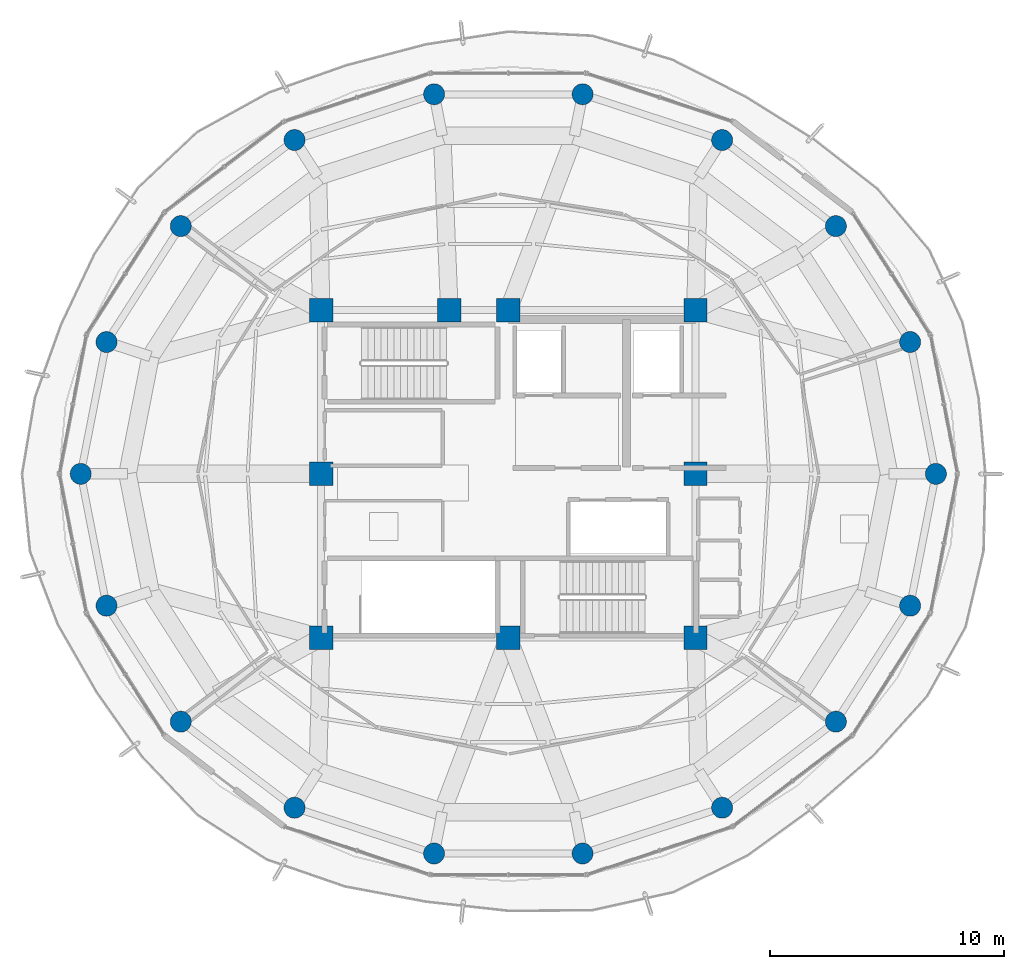
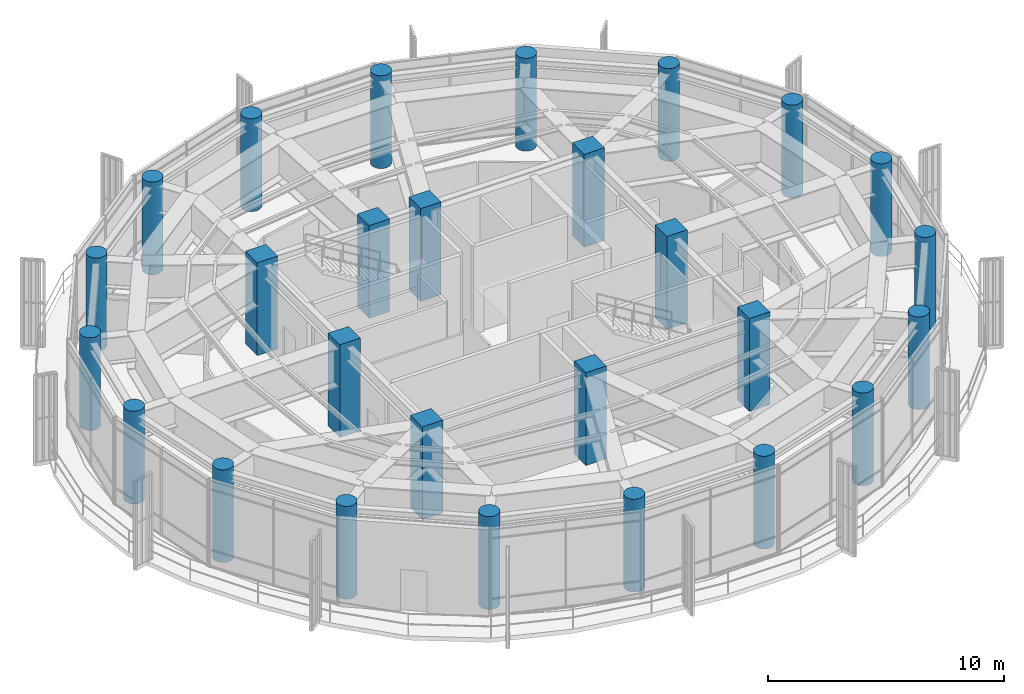
# One storey, part 1 of 23: 27 columns.
"""IFC4 building model written with IfcOpenShell, lengths in metres."""

from ifc_helpers import new_model, si_unit, direction, frame, origin, origin_2d, place, context, subcontext, project, spatial, rectangle, circle, extrude, material, material_profile, profile_set, type_object, element, save


model = new_model("IFC4")

# Units and contexts
model_context = context("Model", 3, precision=1e-05, world=origin(), true_north=direction((0.0, 1.0)))
body_context = subcontext(model_context, "Body", "Model", "MODEL_VIEW")
ifc_project = project(units=[si_unit("LENGTHUNIT", "METRE"), si_unit("AREAUNIT", "SQUARE_METRE"), si_unit("VOLUMEUNIT", "CUBIC_METRE"), si_unit("PLANEANGLEUNIT", "RADIAN"), si_unit("MASSUNIT", "GRAM", prefix="KILO")], contexts=[model_context])

# Site, building, storey
site_placement = place(None, origin())
site = spatial("IfcSite", under=ifc_project, at=site_placement, CompositionType="ELEMENT")
building_placement = place(site_placement, origin())
building = spatial("IfcBuilding", under=site, at=building_placement, Name="Kelanora Arch Commons", CompositionType="ELEMENT")
storey_placement = place(building_placement, frame((0.0, 0.0, 293.699951171875)))
storey = spatial("IfcBuildingStorey", under=building, at=storey_placement, Name="L75", CompositionType="ELEMENT", Elevation=293.699951171875)

# Columns
ifc_material = material(Name="Concrete C50/60", Category="concrete")
ifc_material_profile_1 = material_profile(ifc_material, circle(Radius=0.449951171875, at=origin_2d()), Name="RCC900")
ifc_profile_set_1 = profile_set([ifc_material_profile_1], Name="Concrete C50/60")
column_type_1 = type_object("IfcColumnType", Name="COL-PERIM-Z5", PredefinedType="COLUMN", material=ifc_profile_set_1)
for number, where, z_axis, x_axis, name in (
    (1, (92.280029296875, 58.0, 0.0), (0.0, 0.0, 1.0), (1.0, 0.0, 0.0), "Perimeter Ring Column CP-00 L75"),
    (2, (91.177490234375, 63.636474609375, 0.0), (0.0, 0.0, 1.0), (1.0, 0.0, 0.0), "Perimeter Ring Column CP-02 L75"),
    (3, (88.00341796875, 68.593017578125, 0.0), (0.0, 0.0, 1.0), (1.0, 0.0, 0.0), "Perimeter Ring Column CP-04 L75"),
    (4, (83.139892578125, 72.272216796875, 0.0), (0.0, 0.0, 1.0), (1.0, 0.0, 0.0), "Perimeter Ring Column CP-06 L75"),
    (5, (77.17431640625, 74.2294921875, 0.0), (0.0, 0.0, 1.0), (1.0, 0.0, 0.0), "Perimeter Ring Column CP-08 L75"),
    (6, (70.82568359375, 74.2294921875, 0.0), (0.0, 0.0, 1.0), (1.0, 0.0, 0.0), "Perimeter Ring Column CP-10 L75"),
    (7, (64.860107421875, 72.272216796875, 0.0), (0.0, 0.0, 1.0), (1.0, 0.0, 0.0), "Perimeter Ring Column CP-12 L75"),
    (8, (59.99658203125, 68.593017578125, 0.0), (0.0, 0.0, 1.0), (1.0, 0.0, 0.0), "Perimeter Ring Column CP-14 L75"),
    (9, (56.822509765625, 63.636474609375, 0.0), (0.0, 0.0, 1.0), (1.0, 0.0, 0.0), "Perimeter Ring Column CP-16 L75"),
    (10, (55.719970703125, 58.0, 0.0), (0.0, 0.0, 1.0), (1.0, 0.0, 0.0), "Perimeter Ring Column CP-18 L75"),
    (11, (56.822509765625, 52.363525390625, 0.0), (0.0, 0.0, 1.0), (1.0, 0.0, 0.0), "Perimeter Ring Column CP-20 L75"),
    (12, (59.99658203125, 47.406982421875, 0.0), (0.0, 0.0, 1.0), (1.0, 0.0, 0.0), "Perimeter Ring Column CP-22 L75"),
    (13, (64.860107421875, 43.727783203125, 0.0), (0.0, 0.0, 1.0), (1.0, 0.0, 0.0), "Perimeter Ring Column CP-24 L75"),
    (14, (70.82568359375, 41.7705078125, 0.0), (0.0, 0.0, 1.0), (1.0, 0.0, 0.0), "Perimeter Ring Column CP-26 L75"),
    (15, (77.17431640625, 41.7705078125, 0.0), (0.0, 0.0, 1.0), (1.0, 0.0, 0.0), "Perimeter Ring Column CP-28 L75"),
    (16, (83.139892578125, 43.727783203125, 0.0), (0.0, 0.0, 1.0), (1.0, 0.0, 0.0), "Perimeter Ring Column CP-30 L75"),
    (17, (88.00341796875, 47.406982421875, 0.0), (0.0, 0.0, 1.0), (1.0, 0.0, 0.0), "Perimeter Ring Column CP-32 L75"),
    (18, (91.177490234375, 52.363525390625, 0.0), (0.0, 0.0, 1.0), (1.0, 0.0, 0.0), "Perimeter Ring Column CP-34 L75"),
):
    element("IfcColumn", number, at=place(storey_placement, frame(where, z_axis=z_axis, x_axis=x_axis)), inside=storey, type_object=column_type_1, Name=name, PredefinedType="COLUMN", context=body_context, shape_type="SweptSolid", body=[
        extrude(circle(Radius=0.449951171875, at=origin_2d()), origin(), (0.0, 0.0, 1.0), 4.800048828125),
    ])
ifc_material_profile_2 = material_profile(ifc_material, rectangle(XDim=1.0, YDim=1.0, at=origin_2d()), Name="RC1000x1000")
ifc_profile_set_2 = profile_set([ifc_material_profile_2], Name="Concrete C50/60")
column_type_2 = type_object("IfcColumnType", Name="COL-PIL-HIGH", PredefinedType="PILASTER", material=ifc_profile_set_2)
for number, where, z_axis, x_axis, name in (
    (19, (66.0, 51.0, 0.0), (0.0, 0.0, 1.0), (1.0, 0.0, 0.0), "Core Pilaster Column CP1 L75"),
    (20, (74.0, 51.0, 0.0), (0.0, 0.0, 1.0), (1.0, 0.0, 0.0), "Core Pilaster Column CP2 L75"),
    (21, (82.0, 51.0, 0.0), (0.0, 0.0, 1.0), (1.0, 0.0, 0.0), "Core Pilaster Column CP3 L75"),
    (22, (82.0, 58.0, 0.0), (0.0, 0.0, 1.0), (1.0, 0.0, 0.0), "Core Pilaster Column CP4 L75"),
    (23, (82.0, 65.0, 0.0), (0.0, 0.0, 1.0), (1.0, 0.0, 0.0), "Core Pilaster Column CP5 L75"),
    (24, (74.0, 65.0, 0.0), (0.0, 0.0, 1.0), (1.0, 0.0, 0.0), "Core Pilaster Column CP6 L75"),
    (25, (71.47998046875, 65.0, 0.0), (0.0, 0.0, 1.0), (1.0, 0.0, 0.0), "Core Pilaster Column CP9 L75"),
    (26, (66.0, 65.0, 0.0), (0.0, 0.0, 1.0), (1.0, 0.0, 0.0), "Core Pilaster Column CP7 L75"),
    (27, (66.0, 58.0, 0.0), (0.0, 0.0, 1.0), (1.0, 0.0, 0.0), "Core Pilaster Column CP8 L75"),
):
    element("IfcColumn", number, at=place(storey_placement, frame(where, z_axis=z_axis, x_axis=x_axis)), inside=storey, type_object=column_type_2, Name=name, PredefinedType="PILASTER", context=body_context, shape_type="SweptSolid", body=[
        extrude(rectangle(XDim=1.0, YDim=1.0, at=origin_2d()), origin(), (0.0, 0.0, 1.0), 4.800048828125),
    ])

save(model, "model.ifc")
